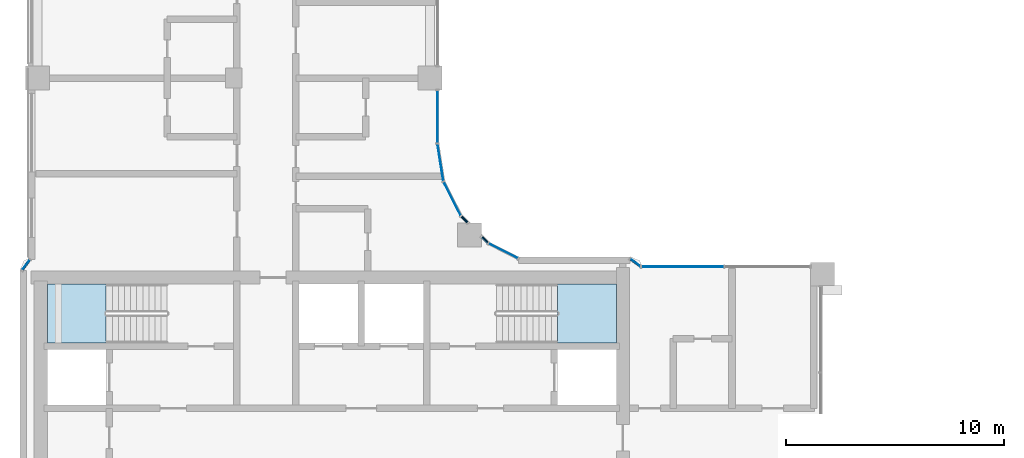
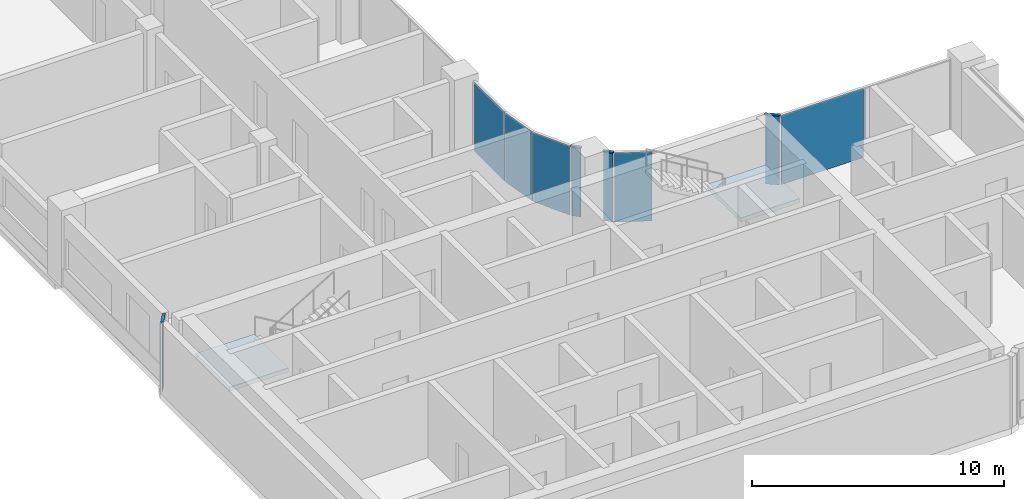
# One storey, part 7 of 21: 9 plates, 4 members, 2 slabs, 8 elements without a shape of their own.
"""IFC4 building model written with IfcOpenShell, lengths in metres."""

from ifc_helpers import new_model, si_unit, direction, frame, origin, origin_2d, place, context, subcontext, project, spatial, polyline, rectangle, outline, extrude, material, layer, layer_set, material_profile, profile_set, type_object, element, aggregate, save


model = new_model("IFC4")

# Units and contexts
model_context = context("Model", 3, precision=1e-05, world=origin(), true_north=direction((0.0, 1.0)))
body_context = subcontext(model_context, "Body", "Model", "MODEL_VIEW")
ifc_project = project(units=[si_unit("LENGTHUNIT", "METRE"), si_unit("AREAUNIT", "SQUARE_METRE"), si_unit("VOLUMEUNIT", "CUBIC_METRE"), si_unit("PLANEANGLEUNIT", "RADIAN"), si_unit("MASSUNIT", "GRAM", prefix="KILO")], contexts=[model_context])

# Site, building, storey
site_placement = place(None, origin())
site = spatial("IfcSite", under=ifc_project, at=site_placement, CompositionType="ELEMENT")
building_placement = place(site_placement, origin())
building = spatial("IfcBuilding", under=site, at=building_placement, Name="Ogive Portal Towers", CompositionType="ELEMENT")
storey_placement = place(building_placement, frame((0.0, 0.0, 157.0)))
storey = spatial("IfcBuildingStorey", under=building, at=storey_placement, Name="L38", CompositionType="ELEMENT", Elevation=157.0)

# Curtain wall, member
ifc_material_1 = material(Name="Glass, clear low-iron insulated glazing", Category="glass")
curtain_wall_type = type_object("IfcCurtainWallType", Name="CW FRONT RIBBON 4500", PredefinedType="NOTDEFINED", material=ifc_material_1)
curtain_wall_1_placement = place(storey_placement, origin())
curtain_wall_1 = element("IfcCurtainWall", 1, at=curtain_wall_1_placement, inside=storey, type_object=curtain_wall_type, Name="A:L38:f00:cwa", PredefinedType="NOTDEFINED")
ifc_material_2 = material(Name="Aluminium 6063 anodised", Category="aluminium")
ifc_material_profile = material_profile(ifc_material_2, rectangle(XDim=0.1201171875, YDim=0.06005859375, at=origin_2d()), Name="AL 120x60")
ifc_profile_set = profile_set([ifc_material_profile], Name="Aluminium 6063 anodised")
member_type = type_object("IfcMemberType", Name="CW TRANSOM 60x120", PredefinedType="USERDEFINED", material=ifc_profile_set)
member_1_placement = place(storey_placement, frame((59.180419921875, 39.844970703125, 3.3701171875), z_axis=(-0.803886334656, 0.594782952809, 0.0), x_axis=(-0.594782952809, -0.803886334656, 0.0)))
member_1 = element("IfcMember", 2, at=member_1_placement, type_object=member_type, Name="transom", ObjectType="TRANSOM", PredefinedType="USERDEFINED", context=body_context, shape_type="SweptSolid", body=[
    extrude(rectangle(XDim=0.1201171875, YDim=0.06005859375, at=origin_2d()), origin(), (0.0, 0.0, 1.0), 0.63037109375),
])

curtain_wall_2_placement = place(storey_placement, origin())
curtain_wall_2 = element("IfcCurtainWall", 3, at=curtain_wall_2_placement, inside=storey, type_object=curtain_wall_type, Name="A:L38:f02:cwa~0", PredefinedType="NOTDEFINED")
member_2_placement = place(storey_placement, frame((52.175537109375, 40.92431640625, 3.3701171875), z_axis=(-0.707106781187, 0.707106781187, 0.0), x_axis=(-0.707106781187, -0.707106781187, 0.0)))
member_2 = element("IfcMember", 4, at=member_2_placement, type_object=member_type, Name="transom", ObjectType="TRANSOM", PredefinedType="USERDEFINED", context=body_context, shape_type="SweptSolid", body=[
    extrude(rectangle(XDim=0.1201171875, YDim=0.06005859375, at=origin_2d()), origin(), (0.0, 0.0, 1.0), 0.446044921875),
])

curtain_wall_3_placement = place(storey_placement, origin())
curtain_wall_3 = element("IfcCurtainWall", 5, at=curtain_wall_3_placement, inside=storey, type_object=curtain_wall_type, Name="A:L38:f02:cwa~1", PredefinedType="NOTDEFINED")
member_3_placement = place(storey_placement, frame((51.23974609375, 41.860107421875, 3.3701171875), z_axis=(-0.707106781187, 0.707106781187, 0.0), x_axis=(-0.707106781187, -0.707106781187, 0.0)))
member_3 = element("IfcMember", 6, at=member_3_placement, type_object=member_type, Name="transom", ObjectType="TRANSOM", PredefinedType="USERDEFINED", context=body_context, shape_type="SweptSolid", body=[
    extrude(rectangle(XDim=0.1201171875, YDim=0.06005859375, at=origin_2d()), origin(), (0.0, 0.0, 1.0), 0.446044921875),
])

curtain_wall_4_placement = place(storey_placement, origin())
curtain_wall_4 = element("IfcCurtainWall", 7, at=curtain_wall_4_placement, inside=storey, type_object=curtain_wall_type, Name="A:L38:f14:cwa", PredefinedType="NOTDEFINED")
member_4_placement = place(storey_placement, frame((31.155029296875, 40.180419921875, 3.3701171875), z_axis=(-0.594782952809, -0.803886334656, 0.0), x_axis=(0.803886334656, -0.594782952809, 0.0)))
member_4 = element("IfcMember", 8, at=member_4_placement, type_object=member_type, Name="transom", ObjectType="TRANSOM", PredefinedType="USERDEFINED", context=body_context, shape_type="SweptSolid", body=[
    extrude(rectangle(XDim=0.1201171875, YDim=0.06005859375, at=origin_2d()), origin(), (0.0, 0.0, 1.0), 0.63037109375),
])

# Curtain wall, plate
curtain_wall_5_placement = place(storey_placement, origin())
curtain_wall_5 = element("IfcCurtainWall", 9, at=curtain_wall_5_placement, inside=storey, type_object=curtain_wall_type, Name="A:L38:f06:cw0~0", PredefinedType="NOTDEFINED")
ifc_layer_1 = layer(ifc_material_1, 0.028076171875)
ifc_layer_set_1 = layer_set([ifc_layer_1], Name="CW PANEL IGU 28")
plate_type = type_object("IfcPlateType", Name="CW PANEL IGU 28", PredefinedType="CURTAIN_PANEL", material=ifc_layer_set_1)
plate_1_placement = place(storey_placement, frame((49.844970703125, 46.721923828125, 0.0), z_axis=(0.0, 0.0, 1.0), x_axis=(0.0, 1.0, 0.0)))
plate_1 = element("IfcPlate", 10, at=plate_1_placement, type_object=plate_type, Name="panel", PredefinedType="CURTAIN_PANEL", context=body_context, shape_type="SweptSolid", body=[
    extrude(rectangle(XDim=2.396240234375, YDim=0.028076171875, at=origin_2d()), origin(), (0.0, 0.0, 1.0), 3.340087890625),
])
aggregate(curtain_wall_5, [plate_1])

curtain_wall_6_placement = place(storey_placement, origin())
curtain_wall_6 = element("IfcCurtainWall", 11, at=curtain_wall_6_placement, inside=storey, type_object=curtain_wall_type, Name="A:L38:f23:cw0", PredefinedType="NOTDEFINED")
plate_2_placement = place(storey_placement, frame((61.09033203125, 39.844970703125, 0.0), z_axis=(0.0, 0.0, 1.0), x_axis=(-1.0, 0.0, 0.0)))
plate_2 = element("IfcPlate", 12, at=plate_2_placement, type_object=plate_type, Name="panel", PredefinedType="CURTAIN_PANEL", context=body_context, shape_type="SweptSolid", body=[
    extrude(rectangle(XDim=3.759521484375, YDim=0.028076171875, at=origin_2d()), origin(), (0.0, 0.0, 1.0), 3.340087890625),
])
aggregate(curtain_wall_6, [plate_2])

# Plate
plate_3_placement = place(storey_placement, frame((58.927001953125, 40.032470703125, 0.0), z_axis=(0.0, 0.0, 1.0), x_axis=(-0.803867261991, 0.594808729844, 0.0)))
plate_3 = element("IfcPlate", 13, at=plate_3_placement, type_object=plate_type, Name="panel", PredefinedType="CURTAIN_PANEL", context=body_context, shape_type="SweptSolid", body=[
    extrude(rectangle(XDim=0.570556640625, YDim=0.028076171875, at=origin_2d()), origin(), (0.0, 0.0, 1.0), 3.340087890625),
])

aggregate(curtain_wall_1, [member_1, plate_3])

plate_4_placement = place(storey_placement, frame((52.866455078125, 40.572021484375, 0.0), z_axis=(0.0, 0.0, 1.0), x_axis=(-0.891006524188, 0.45399049974, 0.0)))
plate_4 = element("IfcPlate", 14, at=plate_4_placement, type_object=plate_type, Name="panel", PredefinedType="CURTAIN_PANEL", context=body_context, shape_type="SweptSolid", body=[
    extrude(rectangle(XDim=1.4912109375, YDim=0.028076171875, at=origin_2d()), origin(), (0.0, 0.0, 1.0), 3.340087890625),
])

plate_5_placement = place(storey_placement, frame((52.017822265625, 41.08203125, 0.0), z_axis=(0.0, 0.0, 1.0), x_axis=(-0.707106781187, 0.707106781187, 0.0)))
plate_5 = element("IfcPlate", 15, at=plate_5_placement, type_object=plate_type, Name="panel", PredefinedType="CURTAIN_PANEL", context=body_context, shape_type="SweptSolid", body=[
    extrude(rectangle(XDim=0.38623046875, YDim=0.028076171875, at=origin_2d()), origin(), (0.0, 0.0, 1.0), 3.340087890625),
])

aggregate(curtain_wall_2, [member_2, plate_4, plate_5])

plate_6_placement = place(storey_placement, frame((51.08203125, 42.017822265625, 0.0), z_axis=(0.0, 0.0, 1.0), x_axis=(-0.707106781187, 0.707106781187, 0.0)))
plate_6 = element("IfcPlate", 16, at=plate_6_placement, type_object=plate_type, Name="panel", PredefinedType="CURTAIN_PANEL", context=body_context, shape_type="SweptSolid", body=[
    extrude(rectangle(XDim=0.38623046875, YDim=0.028076171875, at=origin_2d()), origin(), (0.0, 0.0, 1.0), 3.340087890625),
])

plate_7_placement = place(storey_placement, frame((50.5224609375, 42.9638671875, 0.0), z_axis=(0.0, 0.0, 1.0), x_axis=(-0.45399049974, 0.891006524188, 0.0)))
plate_7 = element("IfcPlate", 17, at=plate_7_placement, type_object=plate_type, Name="panel", PredefinedType="CURTAIN_PANEL", context=body_context, shape_type="SweptSolid", body=[
    extrude(rectangle(XDim=1.70947265625, YDim=0.028076171875, at=origin_2d()), origin(), (0.0, 0.0, 1.0), 3.340087890625),
])

plate_8_placement = place(storey_placement, frame((49.98291015625, 44.623046875, 0.0), z_axis=(0.0, 0.0, 1.0), x_axis=(-0.15643446504, 0.987688340595, 0.0)))
plate_8 = element("IfcPlate", 18, at=plate_8_placement, type_object=plate_type, Name="panel", PredefinedType="CURTAIN_PANEL", context=body_context, shape_type="SweptSolid", body=[
    extrude(rectangle(XDim=1.703125, YDim=0.028076171875, at=origin_2d()), origin(), (0.0, 0.0, 1.0), 3.340087890625),
])

aggregate(curtain_wall_3, [member_3, plate_6, plate_7, plate_8])

plate_9_placement = place(storey_placement, frame((30.967529296875, 39.927001953125, 0.0), z_axis=(0.0, 0.0, 1.0), x_axis=(-0.594808729844, -0.803867261991, 0.0)))
plate_9 = element("IfcPlate", 19, at=plate_9_placement, type_object=plate_type, Name="panel", PredefinedType="CURTAIN_PANEL", context=body_context, shape_type="SweptSolid", body=[
    extrude(rectangle(XDim=0.570556640625, YDim=0.028076171875, at=origin_2d()), origin(), (0.0, 0.0, 1.0), 3.340087890625),
])

aggregate(curtain_wall_4, [member_4, plate_9])

# Stair, slab
ifc_material_3 = material(Name="Concrete C40/50", Category="concrete")
stair_type = type_object("IfcStairType", Name="INT-STAIR", PredefinedType="HALF_TURN_STAIR", material=ifc_material_3)
stair_1_placement = place(storey_placement, origin())
stair_1 = element("IfcStair", 20, at=stair_1_placement, inside=storey, type_object=stair_type, Name="L38 Exit Stair ST-A1", PredefinedType="HALF_TURN_STAIR")
ifc_layer_2 = layer(ifc_material_3, 0.199951171875)
ifc_layer_set_2 = layer_set([ifc_layer_2], Name="INT-LANDING")
slab_type = type_object("IfcSlabType", Name="INT-LANDING", PredefinedType="LANDING", material=ifc_layer_set_2)
slab_1_placement = place(storey_placement, frame((0.0, 0.0, 1.64990234375)))
slab_1 = element("IfcSlab", 21, at=slab_1_placement, type_object=slab_type, Name="ST-A1 landing 1", PredefinedType="LANDING", context=body_context, shape_type="SweptSolid", body=[
    extrude(outline(polyline([(34.64990234375, 39.050048828125), (31.949951171875, 39.050048828125), (31.949951171875, 36.35009765625), (34.64990234375, 36.35009765625), (34.64990234375, 39.050048828125)])), origin(), (0.0, 0.0, 1.0), 0.2001953125),
])
aggregate(stair_1, [slab_1])

stair_2_placement = place(storey_placement, origin())
stair_2 = element("IfcStair", 22, at=stair_2_placement, inside=storey, type_object=stair_type, Name="L38 Exit Stair ST-A2", PredefinedType="HALF_TURN_STAIR")
slab_2_placement = place(storey_placement, frame((0.0, 0.0, 1.64990234375)))
slab_2 = element("IfcSlab", 23, at=slab_2_placement, type_object=slab_type, Name="ST-A2 landing 1", PredefinedType="LANDING", context=body_context, shape_type="SweptSolid", body=[
    extrude(outline(polyline([(55.35009765625, 36.35009765625), (58.050048828125, 36.35009765625), (58.050048828125, 39.050048828125), (55.35009765625, 39.050048828125), (55.35009765625, 36.35009765625)])), origin(), (0.0, 0.0, 1.0), 0.2001953125),
])
aggregate(stair_2, [slab_2])

save(model, "model.ifc")
